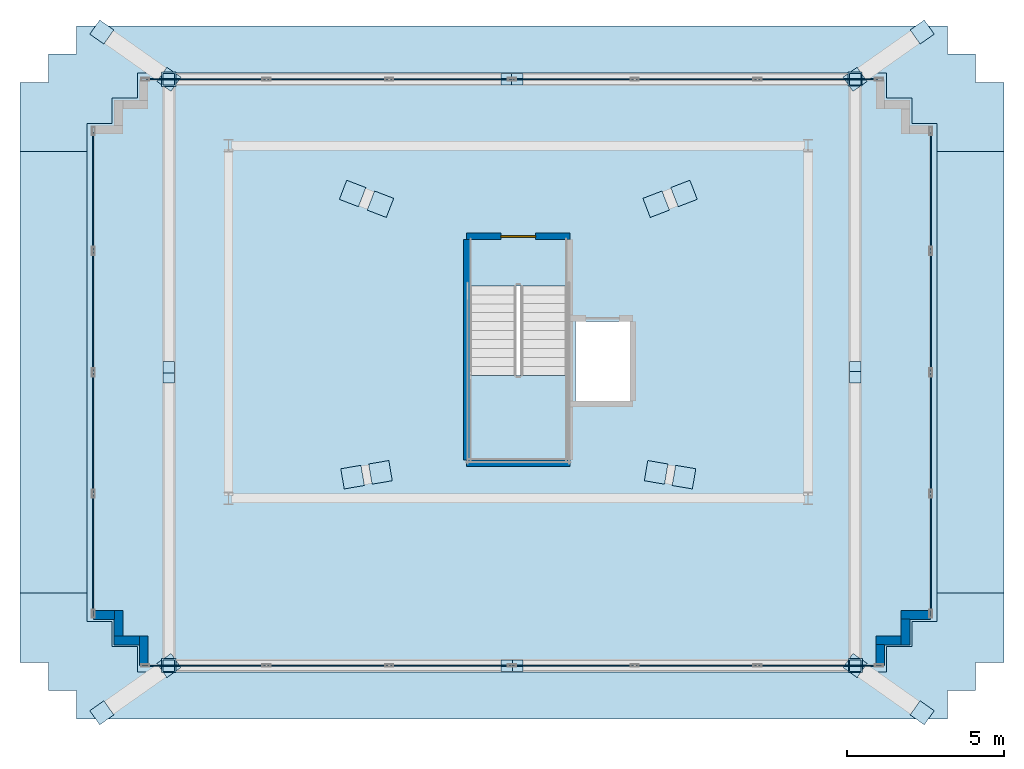
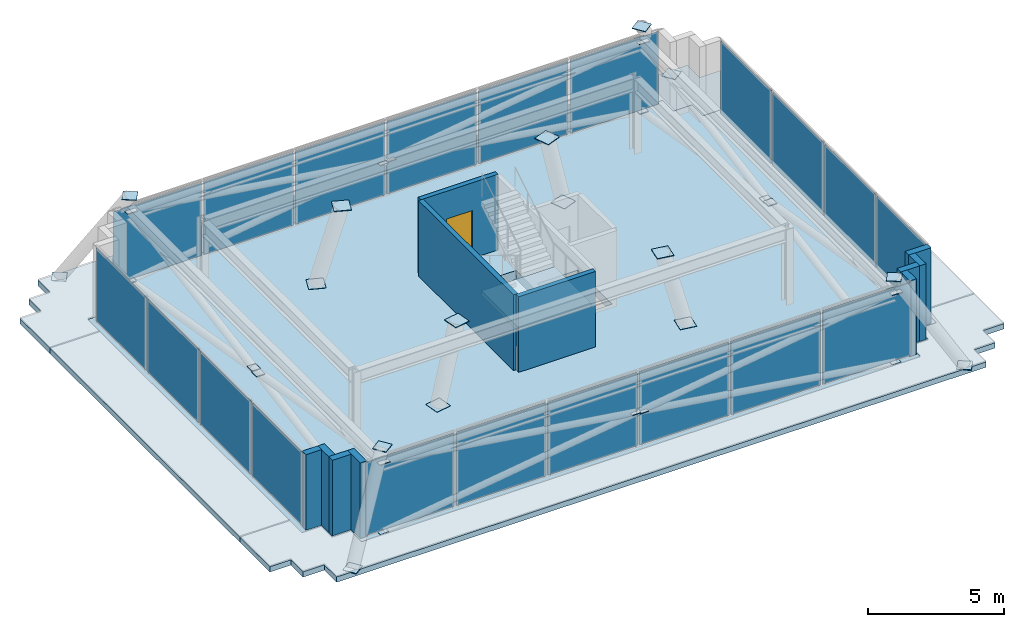
# One storey, part 9 of 13: 52 plates, 11 walls, 6 slabs, 1 door, 1 opening, 5 elements without a shape of their own.
"""IFC4 building model written with IfcOpenShell, lengths in metres."""

import ifcopenshell
import ifcopenshell.guid

model = None  # the IFC model being written
_history = None  # IfcOwnerHistory: only IFC2X3 demands one
_inside = {}  # id of a spatial element -> (the spatial element, [elements in it])
_under = {}  # id of a project, library or spatial element -> (it, [spatial elements below it])
_declared = {}  # id of a project -> (the project, [libraries it declares])
_typed = {}  # id of a type object -> (the type object, [elements of that type])
_made_of = {}  # id of a material, layer set ... -> (it, [elements and type objects made of it])


def new_model(schema):
    """Start an empty IFC model of exactly this schema.

    Asked for "IFC4X3", IfcOpenShell would pick the latest addendum, in which some entities
    have other attributes; the version numbers below select the first issue.
    IFC2X3 requires an IfcOwnerHistory on every rooted entity: one is made here for all.
    """
    global model, _history
    if schema == "IFC4X3":
        model = ifcopenshell.file(schema_version=(4, 3, 0, 0))
    else:
        model = ifcopenshell.file(schema=schema)
    _inside.clear()
    _under.clear()
    _declared.clear()
    _typed.clear()
    _made_of.clear()
    _history = None
    if model.schema == "IFC2X3":
        org = make("IfcOrganization", Name="unknown")
        user = make(
            "IfcPersonAndOrganization",
            ThePerson=make("IfcPerson", FamilyName="unknown"),
            TheOrganization=org,
        )
        app = make(
            "IfcApplication",
            ApplicationDeveloper=org,
            Version="unknown",
            ApplicationFullName="unknown",
            ApplicationIdentifier="unknown",
        )
        _history = make(
            "IfcOwnerHistory",
            OwningUser=user,
            OwningApplication=app,
            ChangeAction="ADDED",
            CreationDate=0,
        )
    return model


def make(cls, **values):
    """One entity of the class cls with the attributes given. An attribute that is None is left unset."""
    return model.create_entity(
        cls, **{name: value for name, value in values.items() if value is not None}
    )


def rooted(cls, **values):
    """An entity with a GlobalId (a new one), such as an element, a storey or a relation."""
    return make(cls, GlobalId=ifcopenshell.guid.new(), OwnerHistory=_history, **values)


def si_unit(unit_type, name, prefix=None):
    """IfcSIUnit, for example si_unit("LENGTHUNIT", "METRE", prefix="MILLI")."""
    return make("IfcSIUnit", UnitType=unit_type, Prefix=prefix, Name=name)


def assignment(units):
    """IfcUnitAssignment: the units of a project."""
    return None if units is None else make("IfcUnitAssignment", Units=units)


def point(xyz):
    """IfcCartesianPoint."""
    return None if xyz is None else make("IfcCartesianPoint", Coordinates=xyz)


def direction(xyz):
    """IfcDirection."""
    return None if xyz is None else make("IfcDirection", DirectionRatios=xyz)


def frame(location, z_axis=None, x_axis=None):
    """IfcAxis2Placement3D, a coordinate frame: its origin and axes. An axis left out is left unset."""
    return make(
        "IfcAxis2Placement3D",
        Location=point(location),
        Axis=direction(z_axis),
        RefDirection=direction(x_axis),
    )


def frame_2d(location, x_axis=None):
    """IfcAxis2Placement2D, a coordinate frame in the plane: its origin and x axis."""
    return make(
        "IfcAxis2Placement2D", Location=point(location), RefDirection=direction(x_axis)
    )


def origin():
    """The frame at (0, 0, 0) with its axes left unset."""
    return frame((0.0, 0.0, 0.0))


def origin_2d():
    """The frame at (0, 0) in the plane with its x axis left unset."""
    return frame_2d((0.0, 0.0))


def place(relative_to, where):
    """IfcLocalPlacement: puts the frame where relative to a parent placement (None: the world)."""
    return make(
        "IfcLocalPlacement", PlacementRelTo=relative_to, RelativePlacement=where
    )


def context(
    kind, dimensions, precision=None, world=None, true_north=None, identifier=None
):
    """IfcGeometricRepresentationContext, for example the 3D "Model" context."""
    return make(
        "IfcGeometricRepresentationContext",
        ContextIdentifier=identifier,
        ContextType=kind,
        CoordinateSpaceDimension=dimensions,
        Precision=precision,
        WorldCoordinateSystem=world,
        TrueNorth=true_north,
    )


def subcontext(parent, identifier, kind, view, scale=None):
    """IfcGeometricRepresentationSubContext, for example "Body" below "Model"."""
    return make(
        "IfcGeometricRepresentationSubContext",
        ContextIdentifier=identifier,
        ContextType=kind,
        ParentContext=parent,
        TargetScale=scale,
        TargetView=view,
    )


def project(units=None, contexts=None):
    """IfcProject with its units and contexts."""
    return rooted(
        "IfcProject",
        Name="project",
        RepresentationContexts=contexts,
        UnitsInContext=assignment(units),
    )


def spatial(cls, under=None, at=None, **own):
    """A site, building, storey or space (cls), placed at a placement, below another one or the project."""
    s = rooted(cls, ObjectPlacement=at, **own)
    if under is not None:
        _under.setdefault(under.id(), (under, []))[1].append(s)
    return s


def polyline(points):
    """IfcPolyline through the points."""
    return make("IfcPolyline", Points=[point(p) for p in points])


def profile(cls, at=None, kind="AREA", **sizes):
    """A parametric profile (cls). Its sizes go by their IFC names, for example OverallWidth=200.0."""
    return make(cls, ProfileType=kind, Position=at, **sizes)


def rectangle(**sizes):
    """IfcRectangleProfileDef."""
    return profile("IfcRectangleProfileDef", **sizes)


def outline(outer, holes=None, kind="AREA"):
    """IfcArbitraryClosedProfileDef: a profile drawn as a closed curve; with holes, ...WithVoids."""
    if holes is None:
        return make("IfcArbitraryClosedProfileDef", ProfileType=kind, OuterCurve=outer)
    return make(
        "IfcArbitraryProfileDefWithVoids",
        ProfileType=kind,
        OuterCurve=outer,
        InnerCurves=holes,
    )


def extrude(swept, where, along, depth):
    """IfcExtrudedAreaSolid: the profile swept, set in the frame where, extruded along a direction by depth."""
    return make(
        "IfcExtrudedAreaSolid",
        SweptArea=swept,
        Position=where,
        ExtrudedDirection=direction(along),
        Depth=depth,
    )


def shape(context_of_items, identifier, shape_type, items):
    """IfcShapeRepresentation: the items that make up one representation, for example the "Body"."""
    return make(
        "IfcShapeRepresentation",
        ContextOfItems=context_of_items,
        RepresentationIdentifier=identifier,
        RepresentationType=shape_type,
        Items=items,
    )


def material(Name=None, Category=None):
    """IfcMaterial."""
    return make("IfcMaterial", Name=Name, Category=Category)


def layer(
    of_material, thickness, ventilated=None, Name=None, Category=None, Priority=None
):
    """IfcMaterialLayer: one layer of a wall or slab, of a material (None: an air gap)."""
    return make(
        "IfcMaterialLayer",
        Material=of_material,
        LayerThickness=thickness,
        IsVentilated=ventilated,
        Name=Name,
        Category=Category,
        Priority=Priority,
    )


def layer_set(layers, Name=None):
    """IfcMaterialLayerSet."""
    return make("IfcMaterialLayerSet", MaterialLayers=layers, LayerSetName=Name)


def made_of(thing, what):
    """Note that an element or type object is made of a material, layer set ...; save() writes the relation."""
    if what is not None:
        _made_of.setdefault(what.id(), (what, []))[1].append(thing)
    return thing


def type_object(cls, material=None, **own):
    """A type object (cls), such as IfcWallType, which elements share."""
    return made_of(rooted(cls, **own), material)


def element(
    cls,
    number,
    at=None,
    inside=None,
    cuts=None,
    type_object=None,
    material=None,
    context=None,
    identifier="Body",
    shape_type=None,
    held_by="IfcProductDefinitionShape",
    body=None,
    shapes=None,
    **own,
):
    """One element of the class cls, such as IfcWall. Its Tag is "e" and its number.

    at: its placement. inside: the storey or other place that contains it. cuts: it is an
    opening in that element (IfcRelVoidsElement). A single representation is given by context,
    identifier, shape_type and body (its items); several are given by shapes. held_by: the class
    of the entity that holds the representations. save() writes the other relations.
    """
    e = rooted(cls, Tag="e%d" % number, ObjectPlacement=at, **own)
    if body is not None:
        shapes = [shape(context, identifier, shape_type, body)]
    if shapes is not None:
        e.Representation = make(held_by, Representations=shapes)
    if inside is not None:
        _inside.setdefault(inside.id(), (inside, []))[1].append(e)
    if cuts is not None:
        rooted(
            "IfcRelVoidsElement", RelatingBuildingElement=cuts, RelatedOpeningElement=e
        )
    if type_object is not None:
        _typed.setdefault(type_object.id(), (type_object, []))[1].append(e)
    return made_of(e, material)


def fill(opening, filler):
    """IfcRelFillsElement: the door or window that sits in an opening."""
    return rooted(
        "IfcRelFillsElement",
        RelatingOpeningElement=opening,
        RelatedBuildingElement=filler,
    )


def aggregate(whole, parts):
    """IfcRelAggregates: a whole, such as a stair, and the parts it consists of."""
    return rooted("IfcRelAggregates", RelatingObject=whole, RelatedObjects=parts)


def save(model, path):
    """Write the relations noted so far, then the file.

    IfcRelAggregates (storeys below a building ...), IfcRelContainedInSpatialStructure (elements
    in a storey), IfcRelDefinesByType, IfcRelAssociatesMaterial and IfcRelDeclares: one each for
    every whole, place, type object, material and project.
    """
    for whole, parts in _under.values():
        aggregate(whole, parts)
    for where, things in _inside.values():
        rooted(
            "IfcRelContainedInSpatialStructure",
            RelatedElements=things,
            RelatingStructure=where,
        )
    for kind, things in _typed.values():
        rooted("IfcRelDefinesByType", RelatedObjects=things, RelatingType=kind)
    for what, things in _made_of.values():
        rooted("IfcRelAssociatesMaterial", RelatedObjects=things, RelatingMaterial=what)
    for by, libraries in _declared.values():
        rooted("IfcRelDeclares", RelatingContext=by, RelatedDefinitions=libraries)
    model.write(path)


model = new_model("IFC4")

# Units and contexts
model_context = context("Model", 3, precision=1e-05, world=origin(), true_north=direction((0.0, 1.0)))
body_context = subcontext(model_context, "Body", "Model", "MODEL_VIEW")
ifc_project = project(units=[si_unit("LENGTHUNIT", "METRE"), si_unit("AREAUNIT", "SQUARE_METRE"), si_unit("VOLUMEUNIT", "CUBIC_METRE"), si_unit("PLANEANGLEUNIT", "RADIAN"), si_unit("MASSUNIT", "GRAM", prefix="KILO")], contexts=[model_context])

# Site, building, storey
site_placement = place(None, origin())
site = spatial("IfcSite", under=ifc_project, at=site_placement, CompositionType="ELEMENT")
building_placement = place(site_placement, origin())
building = spatial("IfcBuilding", under=site, at=building_placement, Name="Qobustan Lattice House", CompositionType="ELEMENT")
storey_placement = place(building_placement, frame((0.0, 0.0, 285.39990234375)))
storey = spatial("IfcBuildingStorey", under=building, at=storey_placement, Name="L80", CompositionType="ELEMENT", Elevation=285.39990234375)

# Curtain wall, plates
ifc_material_1 = material(Name="Anodised aluminium and low-E glazing", Category="aluminium")
ifc_layer_1 = layer(ifc_material_1, 0.219970703125)
ifc_layer_set_1 = layer_set([ifc_layer_1], Name="Anodised aluminium and low-E glazing")
curtain_wall_type = type_object("IfcCurtainWallType", Name="CW-CRN-01", PredefinedType="USERDEFINED", material=ifc_layer_set_1)
curtain_wall_1_placement = place(storey_placement, origin())
curtain_wall_1 = element("IfcCurtainWall", 1, at=curtain_wall_1_placement, inside=storey, type_object=curtain_wall_type, Name="L80 glass-point crown faceted curtain wall 5", ObjectType="CURTAIN WALL", PredefinedType="USERDEFINED")
ifc_material_2 = material(Name="Warm frit stone-toned laminated glass", Category="masonry")
ifc_layer_2 = layer(ifc_material_2, 0.035888671875)
ifc_layer_set_2 = layer_set([ifc_layer_2], Name="Warm frit stone-toned laminated glass")
plate_type_1 = type_object("IfcPlateType", Name="CWP-CROWN-36", PredefinedType="CURTAIN_PANEL", material=ifc_layer_set_2)
plate_1_placement = place(storey_placement, frame((-13.493408203125, -7.357421875, 0.065185546875), z_axis=(0.0, 0.0, 1.0), x_axis=(0.0, 1.0, 0.0)))
plate_1 = element("IfcPlate", 2, at=plate_1_placement, type_object=plate_type_1, Name="CW-CR panel 1.1", PredefinedType="CURTAIN_PANEL", context=body_context, shape_type="SweptSolid", body=[
    extrude(rectangle(XDim=3.71826171875, YDim=0.031982421875, at=origin_2d()), origin(), (0.0, 0.0, 1.0), 3.27001953125),
])
plate_2_placement = place(storey_placement, frame((-13.493408203125, -3.526611328125, 0.065185546875), z_axis=(0.0, 0.0, 1.0), x_axis=(0.0, 1.0, 0.0)))
plate_2 = element("IfcPlate", 3, at=plate_2_placement, type_object=plate_type_1, Name="CW-CR panel 2.1", PredefinedType="CURTAIN_PANEL", context=body_context, shape_type="SweptSolid", body=[
    extrude(rectangle(XDim=3.76318359375, YDim=0.031982421875, at=origin_2d()), origin(), (0.0, 0.0, 1.0), 3.27001953125),
])
plate_3_placement = place(storey_placement, frame((-13.493408203125, 0.32666015625, 0.065185546875), z_axis=(0.0, 0.0, 1.0), x_axis=(0.0, 1.0, 0.0)))
plate_3 = element("IfcPlate", 4, at=plate_3_placement, type_object=plate_type_1, Name="CW-CR panel 3.1", PredefinedType="CURTAIN_PANEL", context=body_context, shape_type="SweptSolid", body=[
    extrude(rectangle(XDim=3.76318359375, YDim=0.031982421875, at=origin_2d()), origin(), (0.0, 0.0, 1.0), 3.27001953125),
])
plate_4_placement = place(storey_placement, frame((-13.493408203125, 4.157470703125, 0.065185546875), z_axis=(0.0, 0.0, 1.0), x_axis=(0.0, 1.0, 0.0)))
plate_4 = element("IfcPlate", 5, at=plate_4_placement, type_object=plate_type_1, Name="CW-CR panel 4.1", PredefinedType="CURTAIN_PANEL", context=body_context, shape_type="SweptSolid", body=[
    extrude(rectangle(XDim=3.71826171875, YDim=0.031982421875, at=origin_2d()), origin(), (0.0, 0.0, 1.0), 3.27001953125),
])
aggregate(curtain_wall_1, [plate_1, plate_2, plate_3, plate_4])

curtain_wall_2_placement = place(storey_placement, origin())
curtain_wall_2 = element("IfcCurtainWall", 6, at=curtain_wall_2_placement, inside=storey, type_object=curtain_wall_type, Name="L80 glass-point crown faceted curtain wall 10", ObjectType="CURTAIN WALL", PredefinedType="USERDEFINED")
plate_5_placement = place(storey_placement, frame((-9.922119140625, 7.70654296875, 0.065185546875), z_axis=(0.0, 0.0, 1.0), x_axis=(1.0, 0.0, 0.0)))
plate_5 = element("IfcPlate", 7, at=plate_5_placement, type_object=plate_type_1, Name="CW-CR panel 1.1", PredefinedType="CURTAIN_PANEL", context=body_context, shape_type="SweptSolid", body=[
    extrude(rectangle(XDim=3.762939453125, YDim=0.031982421875, at=origin_2d()), origin(), (0.0, 0.0, 1.0), 3.27001953125),
])
plate_6_placement = place(storey_placement, frame((-6.046630859375, 7.70654296875, 0.065185546875), z_axis=(0.0, 0.0, 1.0), x_axis=(1.0, 0.0, 0.0)))
plate_6 = element("IfcPlate", 8, at=plate_6_placement, type_object=plate_type_1, Name="CW-CR panel 2.1", PredefinedType="CURTAIN_PANEL", context=body_context, shape_type="SweptSolid", body=[
    extrude(rectangle(XDim=3.807861328125, YDim=0.031982421875, at=origin_2d()), origin(), (0.0, 0.0, 1.0), 3.27001953125),
])
plate_7_placement = place(storey_placement, frame((-2.14892578125, 7.70654296875, 0.065185546875), z_axis=(0.0, 0.0, 1.0), x_axis=(1.0, 0.0, 0.0)))
plate_7 = element("IfcPlate", 9, at=plate_7_placement, type_object=plate_type_1, Name="CW-CR panel 3.1", PredefinedType="CURTAIN_PANEL", context=body_context, shape_type="SweptSolid", body=[
    extrude(rectangle(XDim=3.807861328125, YDim=0.031982421875, at=origin_2d()), origin(), (0.0, 0.0, 1.0), 3.27001953125),
])
plate_8_placement = place(storey_placement, frame((1.7490234375, 7.70654296875, 0.065185546875), z_axis=(0.0, 0.0, 1.0), x_axis=(1.0, 0.0, 0.0)))
plate_8 = element("IfcPlate", 10, at=plate_8_placement, type_object=plate_type_1, Name="CW-CR panel 4.1", PredefinedType="CURTAIN_PANEL", context=body_context, shape_type="SweptSolid", body=[
    extrude(rectangle(XDim=3.807861328125, YDim=0.031982421875, at=origin_2d()), origin(), (0.0, 0.0, 1.0), 3.27001953125),
])
plate_9_placement = place(storey_placement, frame((5.646728515625, 7.70654296875, 0.065185546875), z_axis=(0.0, 0.0, 1.0), x_axis=(1.0, 0.0, 0.0)))
plate_9 = element("IfcPlate", 11, at=plate_9_placement, type_object=plate_type_1, Name="CW-CR panel 5.1", PredefinedType="CURTAIN_PANEL", context=body_context, shape_type="SweptSolid", body=[
    extrude(rectangle(XDim=3.807861328125, YDim=0.031982421875, at=origin_2d()), origin(), (0.0, 0.0, 1.0), 3.27001953125),
])
plate_10_placement = place(storey_placement, frame((9.52197265625, 7.70654296875, 0.065185546875), z_axis=(0.0, 0.0, 1.0), x_axis=(1.0, 0.0, 0.0)))
plate_10 = element("IfcPlate", 12, at=plate_10_placement, type_object=plate_type_1, Name="CW-CR panel 6.1", PredefinedType="CURTAIN_PANEL", context=body_context, shape_type="SweptSolid", body=[
    extrude(rectangle(XDim=3.762939453125, YDim=0.031982421875, at=origin_2d()), origin(), (0.0, 0.0, 1.0), 3.27001953125),
])
aggregate(curtain_wall_2, [plate_5, plate_6, plate_7, plate_8, plate_9, plate_10])

curtain_wall_3_placement = place(storey_placement, origin())
curtain_wall_3 = element("IfcCurtainWall", 13, at=curtain_wall_3_placement, inside=storey, type_object=curtain_wall_type, Name="L80 glass-point crown faceted curtain wall 15", ObjectType="CURTAIN WALL", PredefinedType="USERDEFINED")
plate_11_placement = place(storey_placement, frame((13.093505859375, 4.157470703125, 0.065185546875), z_axis=(0.0, 0.0, 1.0), x_axis=(0.0, -1.0, 0.0)))
plate_11 = element("IfcPlate", 14, at=plate_11_placement, type_object=plate_type_1, Name="CW-CR panel 1.1", PredefinedType="CURTAIN_PANEL", context=body_context, shape_type="SweptSolid", body=[
    extrude(rectangle(XDim=3.71826171875, YDim=0.031982421875, at=origin_2d()), origin(), (0.0, 0.0, 1.0), 3.27001953125),
])
plate_12_placement = place(storey_placement, frame((13.093505859375, 0.32666015625, 0.065185546875), z_axis=(0.0, 0.0, 1.0), x_axis=(0.0, -1.0, 0.0)))
plate_12 = element("IfcPlate", 15, at=plate_12_placement, type_object=plate_type_1, Name="CW-CR panel 2.1", PredefinedType="CURTAIN_PANEL", context=body_context, shape_type="SweptSolid", body=[
    extrude(rectangle(XDim=3.76318359375, YDim=0.031982421875, at=origin_2d()), origin(), (0.0, 0.0, 1.0), 3.27001953125),
])
plate_13_placement = place(storey_placement, frame((13.093505859375, -3.526611328125, 0.065185546875), z_axis=(0.0, 0.0, 1.0), x_axis=(0.0, -1.0, 0.0)))
plate_13 = element("IfcPlate", 16, at=plate_13_placement, type_object=plate_type_1, Name="CW-CR panel 3.1", PredefinedType="CURTAIN_PANEL", context=body_context, shape_type="SweptSolid", body=[
    extrude(rectangle(XDim=3.76318359375, YDim=0.031982421875, at=origin_2d()), origin(), (0.0, 0.0, 1.0), 3.27001953125),
])
plate_14_placement = place(storey_placement, frame((13.093505859375, -7.357421875, 0.065185546875), z_axis=(0.0, 0.0, 1.0), x_axis=(0.0, -1.0, 0.0)))
plate_14 = element("IfcPlate", 17, at=plate_14_placement, type_object=plate_type_1, Name="CW-CR panel 4.1", PredefinedType="CURTAIN_PANEL", context=body_context, shape_type="SweptSolid", body=[
    extrude(rectangle(XDim=3.71826171875, YDim=0.031982421875, at=origin_2d()), origin(), (0.0, 0.0, 1.0), 3.27001953125),
])
aggregate(curtain_wall_3, [plate_11, plate_12, plate_13, plate_14])

curtain_wall_4_placement = place(storey_placement, origin())
curtain_wall_4 = element("IfcCurtainWall", 18, at=curtain_wall_4_placement, inside=storey, type_object=curtain_wall_type, Name="L80 glass-point crown faceted curtain wall 20", ObjectType="CURTAIN WALL", PredefinedType="USERDEFINED")
plate_15_placement = place(storey_placement, frame((9.52197265625, -10.906494140625, 0.065185546875), z_axis=(0.0, 0.0, 1.0), x_axis=(-1.0, 0.0, 0.0)))
plate_15 = element("IfcPlate", 19, at=plate_15_placement, type_object=plate_type_1, Name="CW-CR panel 1.1", PredefinedType="CURTAIN_PANEL", context=body_context, shape_type="SweptSolid", body=[
    extrude(rectangle(XDim=3.762939453125, YDim=0.031982421875, at=origin_2d()), origin(), (0.0, 0.0, 1.0), 3.27001953125),
])
plate_16_placement = place(storey_placement, frame((5.646728515625, -10.906494140625, 0.065185546875), z_axis=(0.0, 0.0, 1.0), x_axis=(-1.0, 0.0, 0.0)))
plate_16 = element("IfcPlate", 20, at=plate_16_placement, type_object=plate_type_1, Name="CW-CR panel 2.1", PredefinedType="CURTAIN_PANEL", context=body_context, shape_type="SweptSolid", body=[
    extrude(rectangle(XDim=3.807861328125, YDim=0.031982421875, at=origin_2d()), origin(), (0.0, 0.0, 1.0), 3.27001953125),
])
plate_17_placement = place(storey_placement, frame((1.7490234375, -10.906494140625, 0.065185546875), z_axis=(0.0, 0.0, 1.0), x_axis=(-1.0, 0.0, 0.0)))
plate_17 = element("IfcPlate", 21, at=plate_17_placement, type_object=plate_type_1, Name="CW-CR panel 3.1", PredefinedType="CURTAIN_PANEL", context=body_context, shape_type="SweptSolid", body=[
    extrude(rectangle(XDim=3.807861328125, YDim=0.031982421875, at=origin_2d()), origin(), (0.0, 0.0, 1.0), 3.27001953125),
])
plate_18_placement = place(storey_placement, frame((-2.14892578125, -10.906494140625, 0.065185546875), z_axis=(0.0, 0.0, 1.0), x_axis=(-1.0, 0.0, 0.0)))
plate_18 = element("IfcPlate", 22, at=plate_18_placement, type_object=plate_type_1, Name="CW-CR panel 4.1", PredefinedType="CURTAIN_PANEL", context=body_context, shape_type="SweptSolid", body=[
    extrude(rectangle(XDim=3.807861328125, YDim=0.031982421875, at=origin_2d()), origin(), (0.0, 0.0, 1.0), 3.27001953125),
])
plate_19_placement = place(storey_placement, frame((-6.046630859375, -10.906494140625, 0.065185546875), z_axis=(0.0, 0.0, 1.0), x_axis=(-1.0, 0.0, 0.0)))
plate_19 = element("IfcPlate", 23, at=plate_19_placement, type_object=plate_type_1, Name="CW-CR panel 5.1", PredefinedType="CURTAIN_PANEL", context=body_context, shape_type="SweptSolid", body=[
    extrude(rectangle(XDim=3.807861328125, YDim=0.031982421875, at=origin_2d()), origin(), (0.0, 0.0, 1.0), 3.27001953125),
])
plate_20_placement = place(storey_placement, frame((-9.922119140625, -10.906494140625, 0.065185546875), z_axis=(0.0, 0.0, 1.0), x_axis=(-1.0, 0.0, 0.0)))
plate_20 = element("IfcPlate", 24, at=plate_20_placement, type_object=plate_type_1, Name="CW-CR panel 6.1", PredefinedType="CURTAIN_PANEL", context=body_context, shape_type="SweptSolid", body=[
    extrude(rectangle(XDim=3.762939453125, YDim=0.031982421875, at=origin_2d()), origin(), (0.0, 0.0, 1.0), 3.27001953125),
])
aggregate(curtain_wall_4, [plate_15, plate_16, plate_17, plate_18, plate_19, plate_20])

# Plates
ifc_material_3 = material(Name="Steel S355", Category="steel")
ifc_layer_3 = layer(ifc_material_3, 0.030029296875)
ifc_layer_set_3 = layer_set([ifc_layer_3], Name="Steel S355")
plate_type_2 = type_object("IfcPlateType", Name="PLT-CAP-25", PredefinedType="SHEET", material=ifc_layer_set_3)
for number, where, z_axis, x_axis, name in (
    (25, (-5.260498046875, -4.924560546875, -0.01953125), (0.0, 0.0, 1.0), (0.985623960897, 0.168953862656, 0.0), "L80 crown spire leg SL1 end cap plate 1"),
    (26, (-4.37646484375, -4.773193359375, 3.3896484375), (0.0, 0.0, 1.0), (0.985623960897, 0.168953862656, 0.0), "L80 crown spire leg SL1 end cap plate 2"),
    (27, (5.260498046875, -4.924560546875, -0.01953125), (0.0, 0.0, 1.0), (-0.985623960897, 0.168953862656, 0.0), "L80 crown spire leg SL2 end cap plate 1"),
    (28, (4.37646484375, -4.773193359375, 3.3896484375), (0.0, 0.0, 1.0), (-0.985623960897, 0.168953862656, 0.0), "L80 crown spire leg SL2 end cap plate 2"),
    (29, (5.260498046875, 4.08056640625, -0.01953125), (0.0, 0.0, 1.0), (-0.933003790768, -0.359866539724, 0.0), "L80 crown spire leg SL3 end cap plate 1"),
    (30, (4.376708984375, 3.739501953125, 3.3896484375), (0.0, 0.0, 1.0), (-0.933003790768, -0.359866539724, 0.0), "L80 crown spire leg SL3 end cap plate 2"),
    (31, (-5.260498046875, 4.08056640625, -0.01953125), (0.0, 0.0, 1.0), (0.933003790768, -0.359866539724, 0.0), "L80 crown spire leg SL4 end cap plate 1"),
    (32, (-4.376708984375, 3.739501953125, 3.3896484375), (0.0, 0.0, 1.0), (0.933003790768, -0.359866539724, 0.0), "L80 crown spire leg SL4 end cap plate 2"),
):
    element("IfcPlate", number, at=place(storey_placement, frame(where, z_axis=z_axis, x_axis=x_axis)), inside=storey, type_object=plate_type_2, Name=name, PredefinedType="SHEET", context=body_context, shape_type="SweptSolid", body=[
        extrude(rectangle(XDim=0.64990234375, YDim=0.64990234375, at=origin_2d()), origin(), (0.0, 0.0, 1.0), 0.030029296875),
    ])
for number, where, z_axis, x_axis, name in (
    (33, (-13.222412109375, -12.406494140625, -0.01904296875), (0.0, 0.0, 1.0), (0.81742649872, 0.576032915024, 0.0), "L80 crown corner raking strut 1 end cap plate 1"),
    (34, (-11.09130859375, -10.90478515625, 3.7890625), (0.0, 0.0, 1.0), (0.81742649872, 0.576032915024, 0.0), "L80 crown corner raking strut 1 end cap plate 2"),
    (35, (12.822265625, -12.406494140625, -0.01904296875), (0.0, 0.0, 1.0), (-0.81742649872, 0.576032915024, 0.0), "L80 crown corner raking strut 2 end cap plate 1"),
    (36, (10.691162109375, -10.90478515625, 3.7890625), (0.0, 0.0, 1.0), (-0.81742649872, 0.576032915024, 0.0), "L80 crown corner raking strut 2 end cap plate 2"),
    (37, (12.822265625, 9.20654296875, -0.01904296875), (0.0, 0.0, 1.0), (-0.81742649872, -0.576032915024, 0.0), "L80 crown corner raking strut 3 end cap plate 1"),
    (38, (10.691162109375, 7.704833984375, 3.7890625), (0.0, 0.0, 1.0), (-0.81742649872, -0.576032915024, 0.0), "L80 crown corner raking strut 3 end cap plate 2"),
    (39, (-13.222412109375, 9.20654296875, -0.01904296875), (0.0, 0.0, 1.0), (0.81742649872, -0.576032915024, 0.0), "L80 crown corner raking strut 4 end cap plate 1"),
    (40, (-11.09130859375, 7.704833984375, 3.7890625), (0.0, 0.0, 1.0), (0.81742649872, -0.576032915024, 0.0), "L80 crown corner raking strut 4 end cap plate 2"),
):
    element("IfcPlate", number, at=place(storey_placement, frame(where, z_axis=z_axis, x_axis=x_axis)), inside=storey, type_object=plate_type_2, Name=name, PredefinedType="SHEET", context=body_context, shape_type="SweptSolid", body=[
        extrude(rectangle(XDim=0.548095703125, YDim=0.548095703125, at=origin_2d()), origin(), (0.0, 0.0, 1.0), 0.030029296875),
    ])
for number, where, z_axis, x_axis, name in (
    (41, (-11.098388671875, -10.906494140625, 3.1650390625), (0.0, 0.0, 1.0), (1.0, 0.0, 0.0), "L80 crown ring chord 1 end cap plate 1"),
    (42, (10.698486328125, -10.906494140625, 3.1650390625), (0.0, 0.0, 1.0), (1.0, 0.0, 0.0), "L80 crown ring chord 1 end cap plate 2"),
):
    element("IfcPlate", number, at=place(storey_placement, frame(where, z_axis=z_axis, x_axis=x_axis)), inside=storey, type_object=plate_type_2, Name=name, PredefinedType="SHEET", context=body_context, shape_type="SweptSolid", body=[
        extrude(rectangle(XDim=0.4462890625, YDim=0.4462890625, at=origin_2d()), origin(), (0.0, 0.0, 1.0), 0.030029296875),
    ])
for number, where, z_axis, x_axis, name in (
    (43, (-11.098388671875, -10.906494140625, -0.00048828125), (0.0, 0.0, 1.0), (1.0, 0.0, 0.0), "L80 crown diagrid continuous brace 1A end cap plate 1"),
    (44, (10.698486328125, -10.906494140625, -0.00048828125), (0.0, 0.0, 1.0), (-1.0, 0.0, 0.0), "L80 crown diagrid split brace 1B lower end cap plate 1"),
    (45, (-0.03857421875, -10.906494140625, 1.55908203125), (0.0, 0.0, 1.0), (-1.0, 0.0, 0.0), "L80 crown diagrid split brace 1B lower end cap plate 2"),
    (46, (-0.361328125, -10.906494140625, 1.60595703125), (0.0, 0.0, 1.0), (-1.0, 0.0, 0.0), "L80 crown diagrid split brace 1B upper end cap plate 1"),
):
    element("IfcPlate", number, at=place(storey_placement, frame(where, z_axis=z_axis, x_axis=x_axis)), inside=storey, type_object=plate_type_2, Name=name, PredefinedType="SHEET", context=body_context, shape_type="SweptSolid", body=[
        extrude(rectangle(XDim=0.364013671875, YDim=0.364013671875, at=origin_2d()), origin(), (0.0, 0.0, 1.0), 0.030029296875),
    ])
plate_21_placement = place(storey_placement, frame((10.693603515625, 7.71142578125, 3.1650390625), z_axis=(0.0, 0.0, 1.0), x_axis=(0.0, 1.0, 0.0)))
element("IfcPlate", 47, at=plate_21_placement, inside=storey, type_object=plate_type_2, Name="L80 crown ring chord 2 end cap plate 2", PredefinedType="SHEET", context=body_context, shape_type="SweptSolid", body=[
    extrude(rectangle(XDim=0.4462890625, YDim=0.4462890625, at=origin_2d()), origin(), (0.0, 0.0, 1.0), 0.030029296875),
])
for number, where, z_axis, x_axis, name in (
    (48, (10.693603515625, 7.71142578125, -0.00048828125), (0.0, 0.0, 1.0), (0.0, -1.0, 0.0), "L80 crown diagrid split brace 2B lower end cap plate 1"),
    (49, (10.693603515625, -1.439208984375, 1.55517578125), (0.0, 0.0, 1.0), (0.0, -1.0, 0.0), "L80 crown diagrid split brace 2B lower end cap plate 2"),
    (50, (10.693603515625, -1.7607421875, 1.60986328125), (0.0, 0.0, 1.0), (0.0, -1.0, 0.0), "L80 crown diagrid split brace 2B upper end cap plate 1"),
):
    element("IfcPlate", number, at=place(storey_placement, frame(where, z_axis=z_axis, x_axis=x_axis)), inside=storey, type_object=plate_type_2, Name=name, PredefinedType="SHEET", context=body_context, shape_type="SweptSolid", body=[
        extrude(rectangle(XDim=0.364013671875, YDim=0.364013671875, at=origin_2d()), origin(), (0.0, 0.0, 1.0), 0.030029296875),
    ])
plate_22_placement = place(storey_placement, frame((-11.098388671875, 7.70654296875, 3.1650390625), z_axis=(0.0, 0.0, 1.0), x_axis=(-1.0, 0.0, 0.0)))
element("IfcPlate", 51, at=plate_22_placement, inside=storey, type_object=plate_type_2, Name="L80 crown ring chord 3 end cap plate 2", PredefinedType="SHEET", context=body_context, shape_type="SweptSolid", body=[
    extrude(rectangle(XDim=0.4462890625, YDim=0.4462890625, at=origin_2d()), origin(), (0.0, 0.0, 1.0), 0.030029296875),
])
for number, where, z_axis, x_axis, name in (
    (52, (-11.098388671875, 7.70654296875, -0.00048828125), (0.0, 0.0, 1.0), (1.0, 0.0, 0.0), "L80 crown diagrid split brace 3B lower end cap plate 1"),
    (53, (-0.361328125, 7.70654296875, 1.55908203125), (0.0, 0.0, 1.0), (1.0, 0.0, 0.0), "L80 crown diagrid split brace 3B lower end cap plate 2"),
    (54, (-0.03857421875, 7.70654296875, 1.60595703125), (0.0, 0.0, 1.0), (1.0, 0.0, 0.0), "L80 crown diagrid split brace 3B upper end cap plate 1"),
    (55, (-11.093505859375, -1.7607421875, 1.55517578125), (0.0, 0.0, 1.0), (0.0, 1.0, 0.0), "L80 crown diagrid split brace 4B lower end cap plate 2"),
    (56, (-11.093505859375, -1.439208984375, 1.60986328125), (0.0, 0.0, 1.0), (0.0, 1.0, 0.0), "L80 crown diagrid split brace 4B upper end cap plate 1"),
):
    element("IfcPlate", number, at=place(storey_placement, frame(where, z_axis=z_axis, x_axis=x_axis)), inside=storey, type_object=plate_type_2, Name=name, PredefinedType="SHEET", context=body_context, shape_type="SweptSolid", body=[
        extrude(rectangle(XDim=0.364013671875, YDim=0.364013671875, at=origin_2d()), origin(), (0.0, 0.0, 1.0), 0.030029296875),
    ])

# Stair, slab
ifc_material_4 = material(Name="Concrete C40/50", Category="concrete")
stair_type = type_object("IfcStairType", Name="STR-CORE-DOGLEG", PredefinedType="HALF_TURN_STAIR", material=ifc_material_4)
stair_placement = place(storey_placement, origin())
stair = element("IfcStair", 57, at=stair_placement, inside=storey, type_object=stair_type, Name="L80 Crown access stair ST-C1", PredefinedType="HALF_TURN_STAIR")
ifc_material_5 = material(Name="Concrete C40/50", Category="concrete")
ifc_layer_4 = layer(ifc_material_5, 0.199951171875)
ifc_layer_set_4 = layer_set([ifc_layer_4], Name="Concrete C40/50")
slab_type_1 = type_object("IfcSlabType", Name="SLB-LANDING-200", PredefinedType="LANDING", material=ifc_layer_set_4)
slab_1_placement = place(storey_placement, frame((0.0, 0.0, 1.7001953125)))
slab_1 = element("IfcSlab", 58, at=slab_1_placement, type_object=slab_type_1, Name="ST-C1 landing 1", PredefinedType="LANDING", context=body_context, shape_type="SweptSolid", body=[
    extrude(outline(polyline([(-1.56005859375, -1.699951171875), (-1.56005859375, -4.39990234375), (1.56005859375, -4.39990234375), (1.56005859375, -1.699951171875), (-1.56005859375, -1.699951171875)])), origin(), (0.0, 0.0, 1.0), 0.199951171875),
])
aggregate(stair, [slab_1])

# Slabs
ifc_material_6 = material(Name="Concrete C50/60", Category="concrete")
ifc_layer_5 = layer(ifc_material_6, 0.39990234375)
ifc_layer_set_5 = layer_set([ifc_layer_5], Name="Concrete C50/60")
slab_type_2 = type_object("IfcSlabType", Name="SLB-PLANT-DECK-400", PredefinedType="USERDEFINED", material=ifc_layer_set_5)
slab_2_placement = place(storey_placement, frame((0.0, 0.0, -0.39990234375)))
element("IfcSlab", 59, at=slab_2_placement, inside=storey, type_object=slab_type_2, Name="L80 crown mechanical plant deck", ObjectType="PLANT DECK", PredefinedType="USERDEFINED", context=body_context, shape_type="SweptSolid", body=[
    extrude(outline(polyline([(-12.093505859375, -11.1064453125), (11.693603515625, -11.1064453125), (11.693603515625, -10.306396484375), (12.493408203125, -10.306396484375), (12.493408203125, -9.506591796875), (13.29345703125, -9.506591796875), (13.29345703125, 6.306396484375), (12.493408203125, 6.306396484375), (12.493408203125, 7.1064453125), (11.693603515625, 7.1064453125), (11.693603515625, 7.906494140625), (-12.093505859375, 7.906494140625), (-12.093505859375, 7.1064453125), (-12.8935546875, 7.1064453125), (-12.8935546875, 6.306396484375), (-13.693603515625, 6.306396484375), (-13.693603515625, -9.506591796875), (-12.8935546875, -9.506591796875), (-12.8935546875, -10.306396484375), (-12.093505859375, -10.306396484375), (-12.093505859375, -11.1064453125)]), holes=[polyline([(-1.56005859375, -4.39990234375), (-1.56005859375, 1.139892578125), (1.56005859375, 1.139892578125), (1.56005859375, -4.39990234375), (-1.56005859375, -4.39990234375)]), polyline([(1.820068359375, -2.5), (1.820068359375, 0.02001953125), (3.5400390625, 0.02001953125), (3.5400390625, -2.5), (1.820068359375, -2.5)])]), origin(), (0.0, 0.0, 1.0), 0.39990234375),
])
ifc_material_7 = material(Name="Concrete C40/50", Category="concrete")
ifc_layer_6 = layer(ifc_material_7, 0.239990234375)
ifc_layer_set_6 = layer_set([ifc_layer_6], Name="Concrete C40/50")
slab_type_3 = type_object("IfcSlabType", Name="SLB-ROOF-240", PredefinedType="ROOF", material=ifc_layer_set_6)
slab_3_placement = place(storey_placement, frame((0.0, 0.0, -0.239990234375)))
element("IfcSlab", 60, at=slab_3_placement, inside=storey, type_object=slab_type_3, Name="L80 crown step-in roof slab S1", PredefinedType="ROOF", context=body_context, shape_type="SweptSolid", body=[
    extrude(outline(polyline([(-14.02001953125, -11.705078125), (-14.02001953125, -12.60498046875), (13.6201171875, -12.60498046875), (13.6201171875, -11.705078125), (14.52001953125, -11.705078125), (14.52001953125, -10.804931640625), (15.419921875, -10.804931640625), (15.419921875, -8.6064453125), (13.29345703125, -8.6064453125), (13.29345703125, -9.506591796875), (12.493408203125, -9.506591796875), (12.493408203125, -10.306396484375), (11.693603515625, -10.306396484375), (11.693603515625, -11.1064453125), (-12.093505859375, -11.1064453125), (-12.093505859375, -10.306396484375), (-12.8935546875, -10.306396484375), (-12.8935546875, -9.506591796875), (-13.693603515625, -9.506591796875), (-13.693603515625, -8.6064453125), (-15.820068359375, -8.6064453125), (-15.820068359375, -10.804931640625), (-14.919921875, -10.804931640625), (-14.919921875, -11.705078125), (-14.02001953125, -11.705078125)])), origin(), (0.0, 0.0, 1.0), 0.239990234375),
])
slab_4_placement = place(storey_placement, frame((0.0, 0.0, -0.239990234375)))
element("IfcSlab", 61, at=slab_4_placement, inside=storey, type_object=slab_type_3, Name="L80 crown step-in roof slab N1", PredefinedType="ROOF", context=body_context, shape_type="SweptSolid", body=[
    extrude(outline(polyline([(-15.820068359375, 5.406494140625), (-13.693603515625, 5.406494140625), (-13.693603515625, 6.306396484375), (-12.8935546875, 6.306396484375), (-12.8935546875, 7.1064453125), (-12.093505859375, 7.1064453125), (-12.093505859375, 7.906494140625), (11.693603515625, 7.906494140625), (11.693603515625, 7.1064453125), (12.493408203125, 7.1064453125), (12.493408203125, 6.306396484375), (13.29345703125, 6.306396484375), (13.29345703125, 5.406494140625), (15.419921875, 5.406494140625), (15.419921875, 7.60498046875), (14.52001953125, 7.60498046875), (14.52001953125, 8.5048828125), (13.6201171875, 8.5048828125), (13.6201171875, 9.405029296875), (-14.02001953125, 9.405029296875), (-14.02001953125, 8.5048828125), (-14.919921875, 8.5048828125), (-14.919921875, 7.60498046875), (-15.820068359375, 7.60498046875), (-15.820068359375, 5.406494140625)])), origin(), (0.0, 0.0, 1.0), 0.239990234375),
])
slab_5_placement = place(storey_placement, frame((0.0, 0.0, -0.239990234375)))
element("IfcSlab", 62, at=slab_5_placement, inside=storey, type_object=slab_type_3, Name="L80 crown step-in roof slab W1", PredefinedType="ROOF", context=body_context, shape_type="SweptSolid", body=[
    extrude(outline(polyline([(-15.820068359375, -8.6064453125), (-13.693603515625, -8.6064453125), (-13.693603515625, 5.406494140625), (-15.820068359375, 5.406494140625), (-15.820068359375, -8.6064453125)])), origin(), (0.0, 0.0, 1.0), 0.239990234375),
])
slab_6_placement = place(storey_placement, frame((0.0, 0.0, -0.239990234375)))
element("IfcSlab", 63, at=slab_6_placement, inside=storey, type_object=slab_type_3, Name="L80 crown step-in roof slab E1", PredefinedType="ROOF", context=body_context, shape_type="SweptSolid", body=[
    extrude(outline(polyline([(15.419921875, 5.406494140625), (13.29345703125, 5.406494140625), (13.29345703125, -8.6064453125), (15.419921875, -8.6064453125), (15.419921875, 5.406494140625)])), origin(), (0.0, 0.0, 1.0), 0.239990234375),
])

# Walls
ifc_material_8 = material(Name="Precast concrete C40/50", Category="concrete")
ifc_layer_7 = layer(ifc_material_8, 0.280029296875)
ifc_layer_set_7 = layer_set([ifc_layer_7], Name="Precast concrete C40/50")
wall_type_1 = type_object("IfcWallType", Name="WAL-EXT-CROWN-280", PredefinedType="SOLIDWALL", material=ifc_layer_set_7)
wall_1_placement = place(storey_placement, frame((-11.8935546875, -10.906494140625, 0.0), z_axis=(0.0, 0.0, 1.0), x_axis=(0.0, 1.0, 0.0)))
element("IfcWall", 64, at=wall_1_placement, inside=storey, type_object=wall_type_1, Name="L80 crown faceted limestone wall 1", PredefinedType="SOLIDWALL", context=body_context, shape_type="SweptSolid", body=[
    extrude(rectangle(XDim=0.93994140625, YDim=0.280029296875, at=frame_2d((0.469970703125, 0.0))), origin(), (0.0, 0.0, 1.0), 3.400146484375),
])
for number, where, z_axis, x_axis, name in (
    (65, (-12.021484375, -10.1064453125, 0.0), (0.0, 0.0, 1.0), (-1.0, 0.0, 0.0), "L80 crown faceted limestone wall 2"),
    (66, (-12.693603515625, -9.978515625, 0.0), (0.0, 0.0, 1.0), (0.0, 1.0, 0.0), "L80 crown faceted limestone wall 3"),
):
    element("IfcWall", number, at=place(storey_placement, frame(where, z_axis=z_axis, x_axis=x_axis)), inside=storey, type_object=wall_type_1, Name=name, PredefinedType="SOLIDWALL", context=body_context, shape_type="SweptSolid", body=[
        extrude(rectangle(XDim=0.81201171875, YDim=0.280029296875, at=frame_2d((0.406005859375, 0.0))), origin(), (0.0, 0.0, 1.0), 3.400146484375),
    ])
wall_2_placement = place(storey_placement, frame((-12.821533203125, -9.306396484375, 0.0), z_axis=(0.0, 0.0, 1.0), x_axis=(-1.0, 0.0, 0.0)))
element("IfcWall", 67, at=wall_2_placement, inside=storey, type_object=wall_type_1, Name="L80 crown faceted limestone wall 4", PredefinedType="SOLIDWALL", context=body_context, shape_type="SweptSolid", body=[
    extrude(rectangle(XDim=0.671875, YDim=0.280029296875, at=frame_2d((0.3359375, 0.0))), origin(), (0.0, 0.0, 1.0), 3.400146484375),
])
wall_3_placement = place(storey_placement, frame((13.093505859375, -9.306396484375, 0.0), z_axis=(0.0, 0.0, 1.0), x_axis=(-1.0, 0.0, 0.0)))
element("IfcWall", 68, at=wall_3_placement, inside=storey, type_object=wall_type_1, Name="L80 crown faceted limestone wall 16", PredefinedType="SOLIDWALL", context=body_context, shape_type="SweptSolid", body=[
    extrude(rectangle(XDim=0.93994140625, YDim=0.280029296875, at=frame_2d((0.469970703125, 0.0))), origin(), (0.0, 0.0, 1.0), 3.400146484375),
])
for number, where, z_axis, x_axis, name in (
    (69, (12.29345703125, -9.4345703125, 0.0), (0.0, 0.0, 1.0), (0.0, -1.0, 0.0), "L80 crown faceted limestone wall 17"),
    (70, (12.16552734375, -10.1064453125, 0.0), (0.0, 0.0, 1.0), (-1.0, 0.0, 0.0), "L80 crown faceted limestone wall 18"),
):
    element("IfcWall", number, at=place(storey_placement, frame(where, z_axis=z_axis, x_axis=x_axis)), inside=storey, type_object=wall_type_1, Name=name, PredefinedType="SOLIDWALL", context=body_context, shape_type="SweptSolid", body=[
        extrude(rectangle(XDim=0.81201171875, YDim=0.280029296875, at=frame_2d((0.406005859375, 0.0))), origin(), (0.0, 0.0, 1.0), 3.400146484375),
    ])
wall_4_placement = place(storey_placement, frame((11.493408203125, -10.234619140625, 0.0), z_axis=(0.0, 0.0, 1.0), x_axis=(0.0, -1.0, 0.0)))
element("IfcWall", 71, at=wall_4_placement, inside=storey, type_object=wall_type_1, Name="L80 crown faceted limestone wall 19", PredefinedType="SOLIDWALL", context=body_context, shape_type="SweptSolid", body=[
    extrude(rectangle(XDim=0.671875, YDim=0.280029296875, at=frame_2d((0.3359375, 0.0))), origin(), (0.0, 0.0, 1.0), 3.400146484375),
])

# Wall, opening, door
ifc_material_9 = material(Name="Concrete C40/50", Category="concrete")
ifc_layer_8 = layer(ifc_material_9, 0.199951171875)
ifc_layer_set_8 = layer_set([ifc_layer_8], Name="Concrete C40/50")
wall_type_2 = type_object("IfcWallType", Name="WAL-SHAFT-LB-200", PredefinedType="SHEAR", material=ifc_layer_set_8)
wall_5_placement = place(storey_placement, frame((-1.639892578125, 2.719970703125, 0.0), z_axis=(0.0, 0.0, 1.0), x_axis=(1.0, 0.0, 0.0)))
wall_5 = element("IfcWall", 72, at=wall_5_placement, inside=storey, type_object=wall_type_2, Name="L80 crown stair ST-C1 RC shaft wall STC-N", PredefinedType="SHEAR", context=body_context, shape_type="SweptSolid", body=[
    extrude(rectangle(XDim=3.27978515625, YDim=0.199951171875, at=frame_2d((1.639892578125, 0.0))), origin(), (0.0, 0.0, 1.0), 3.400146484375),
])
opening_placement = place(wall_5_placement, frame((1.090087890625, 0.0, 0.0)))
opening = element("IfcOpeningElement", 73, at=opening_placement, cuts=wall_5, Name="Opening SD-01", PredefinedType="OPENING", context=body_context, shape_type="SweptSolid", body=[
    extrude(rectangle(XDim=1.10009765625, YDim=2.14990234375, at=frame_2d((0.550048828125, 1.074951171875))), frame((0.0, 0.10986328125, 0.0), z_axis=(0.0, -1.0, 0.0), x_axis=(1.0, 0.0, 0.0)), (0.0, 0.0, 1.0), 0.219970703125),
])
ifc_material_10 = material(Name="Persian walnut timber and steel frame door", Category="steel")
door_type = type_object("IfcDoorType", Name="DOR-STAIR-FD-1100x2150", OperationType="NOTDEFINED", PredefinedType="DOOR", material=ifc_material_10)
door_placement = place(opening_placement, origin())
door = element("IfcDoor", 74, at=door_placement, inside=storey, type_object=door_type, Name="L80 crown access stair ST-C1 fire door", OperationType="SINGLE_SWING_RIGHT", OverallHeight=2.14990234375, OverallWidth=1.10009765625, PredefinedType="DOOR", context=body_context, shape_type="SweptSolid", body=[
    extrude(rectangle(XDim=1.10009765625, YDim=2.14990234375, at=frame_2d((0.550048828125, 1.074951171875))), frame((0.0, 0.02490234375, 0.0), z_axis=(0.0, -1.0, 0.0), x_axis=(1.0, 0.0, 0.0)), (0.0, 0.0, 1.0), 0.050048828125),
])
fill(opening, door)

# Walls
wall_6_placement = place(storey_placement, frame((-1.639892578125, -4.47998046875, 0.0), z_axis=(0.0, 0.0, 1.0), x_axis=(1.0, 0.0, 0.0)))
element("IfcWall", 75, at=wall_6_placement, inside=storey, type_object=wall_type_2, Name="L80 crown stair ST-C1 RC shaft wall STC-S", PredefinedType="SHEAR", context=body_context, shape_type="SweptSolid", body=[
    extrude(rectangle(XDim=3.27978515625, YDim=0.199951171875, at=frame_2d((1.639892578125, 0.0))), origin(), (0.0, 0.0, 1.0), 3.400146484375),
])
wall_7_placement = place(storey_placement, frame((-1.639892578125, -4.3798828125, 0.0), z_axis=(0.0, 0.0, 1.0), x_axis=(0.0, 1.0, 0.0)))
element("IfcWall", 76, at=wall_7_placement, inside=storey, type_object=wall_type_2, Name="L80 crown stair ST-C1 RC shaft wall STC-W", PredefinedType="SHEAR", context=body_context, shape_type="SweptSolid", body=[
    extrude(rectangle(XDim=7.0, YDim=0.199951171875, at=frame_2d((3.5, 0.0))), origin(), (0.0, 0.0, 1.0), 3.400146484375),
])

save(model, "model.ifc")
